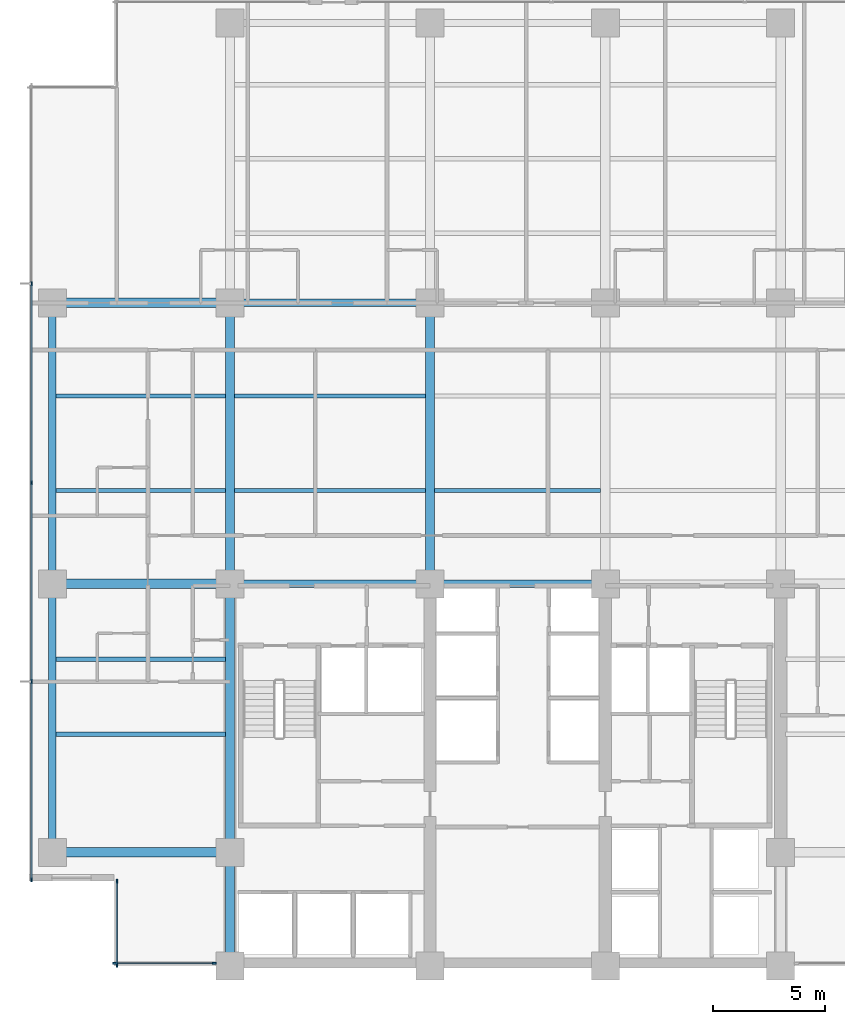
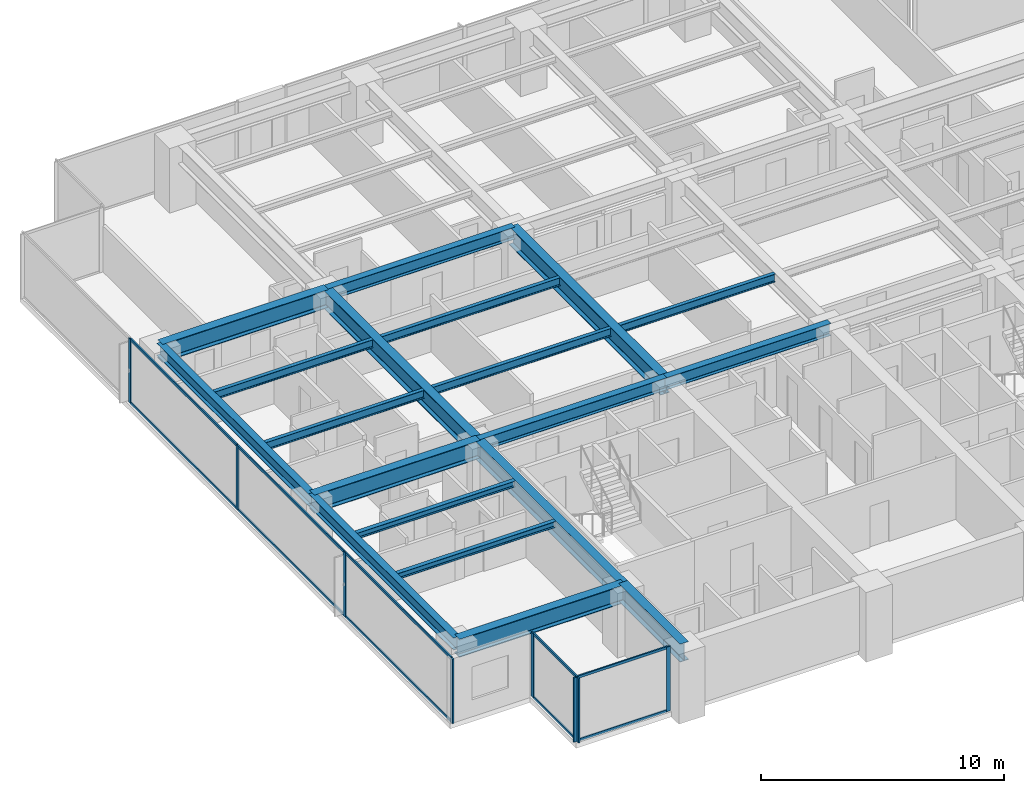
# One storey, part 2 of 17: 19 beams, 18 members, 3 elements without a shape of their own.
"""IFC4 building model written with IfcOpenShell, lengths in metres."""

from ifc_helpers import new_model, si_unit, direction, frame, origin, origin_2d, place, context, subcontext, project, spatial, rectangle, i_section, extrude, material, layer, layer_set, material_profile, profile_set, type_object, element, aggregate, save


model = new_model("IFC4")

# Units and contexts
model_context = context("Model", 3, precision=1e-05, world=origin(), true_north=direction((0.0, 1.0)))
body_context = subcontext(model_context, "Body", "Model", "MODEL_VIEW")
ifc_project = project(units=[si_unit("LENGTHUNIT", "METRE"), si_unit("AREAUNIT", "SQUARE_METRE"), si_unit("VOLUMEUNIT", "CUBIC_METRE"), si_unit("PLANEANGLEUNIT", "RADIAN"), si_unit("MASSUNIT", "GRAM", prefix="KILO")], contexts=[model_context])

# Site, building, storey
site_placement = place(None, origin())
site = spatial("IfcSite", under=ifc_project, at=site_placement, CompositionType="ELEMENT")
building_placement = place(site_placement, origin())
building = spatial("IfcBuilding", under=site, at=building_placement, Name="Qalmaran Belvedere Hotel", CompositionType="ELEMENT")
storey_placement = place(building_placement, frame((0.0, 0.0, 105.699951171875)))
storey = spatial("IfcBuildingStorey", under=building, at=storey_placement, Name="L26", CompositionType="ELEMENT", Elevation=105.699951171875)

# Beams
ifc_material_1 = material(Name="Steel S355JR", Category="steel")
ifc_material_profile_1 = material_profile(ifc_material_1, i_section(OverallWidth=0.202880859375, OverallDepth=0.302978515625, WebThickness=0.007568359375, FlangeThickness=0.01318359375, FilletRadius=0.012939453125, at=origin_2d()), Name="W310X60")
ifc_profile_set_1 = profile_set([ifc_material_profile_1], Name="Steel S355JR")
beam_type_1 = type_object("IfcBeamType", Name="BM-JST-W310X60", PredefinedType="JOIST", material=ifc_profile_set_1)
for number, where, z_axis, x_axis, name in (
    (1, (12.5615234375, 13.800048828125, 3.088623046875), (1.0, 0.0, 0.0), (0.0, 1.0, 0.0), "L26 West Wing Joist 038"),
    (2, (12.5615234375, 17.14990234375, 3.088623046875), (1.0, 0.0, 0.0), (0.0, 1.0, 0.0), "L26 West Wing Joist 040"),
):
    element("IfcBeam", number, at=place(storey_placement, frame(where, z_axis=z_axis, x_axis=x_axis)), inside=storey, type_object=beam_type_1, Name=name, PredefinedType="JOIST", context=body_context, shape_type="SweptSolid", body=[
        extrude(i_section(OverallWidth=0.202880859375, OverallDepth=0.302978515625, WebThickness=0.007568359375, FlangeThickness=0.01318359375, FilletRadius=0.012939453125, at=origin_2d()), origin(), (0.0, 0.0, 1.0), 7.531494140625),
    ])
ifc_material_profile_2 = material_profile(ifc_material_1, i_section(OverallWidth=0.41796875, OverallDepth=0.912109375, WebThickness=0.019287109375, FlangeThickness=0.031982421875, FilletRadius=0.02392578125, at=origin_2d()), Name="W920X342")
ifc_profile_set_2 = profile_set([ifc_material_profile_2], Name="Steel S355JR")
beam_type_2 = type_object("IfcBeamType", Name="BM-PG2-W920X342", PredefinedType="USERDEFINED", material=ifc_profile_set_2)
for number, where, z_axis, x_axis, name in (
    (3, (20.300048828125, 20.5, 2.783935546875), (0.0, 1.0, 0.0), (-1.0, 0.0, 0.0), "L26 Mid-Plate N-S Girder 14"),
    (4, (29.199951171875, 20.5, 2.783935546875), (0.0, 1.0, 0.0), (-1.0, 0.0, 0.0), "L26 Mid-Plate N-S Girder 16"),
):
    element("IfcBeam", number, at=place(storey_placement, frame(where, z_axis=z_axis, x_axis=x_axis)), inside=storey, type_object=beam_type_2, Name=name, ObjectType="GIRDER", PredefinedType="USERDEFINED", context=body_context, shape_type="SweptSolid", body=[
        extrude(i_section(OverallWidth=0.41796875, OverallDepth=0.912109375, WebThickness=0.019287109375, FlangeThickness=0.031982421875, FilletRadius=0.02392578125, at=origin_2d()), origin(), (0.0, 0.0, 1.0), 12.5),
    ])
for number, where, z_axis, x_axis, name in (
    (5, (12.39990234375, 8.550048828125, 2.783935546875), (1.0, 0.0, 0.0), (0.0, 1.0, 0.0), "L26 West Wing Girder 22"),
    (6, (12.39990234375, 20.5, 2.783935546875), (1.0, 0.0, 0.0), (0.0, 1.0, 0.0), "L26 West Wing Girder 23"),
    (7, (12.39990234375, 33.0, 2.783935546875), (1.0, 0.0, 0.0), (0.0, 1.0, 0.0), "L26 West Wing Girder 24"),
):
    element("IfcBeam", number, at=place(storey_placement, frame(where, z_axis=z_axis, x_axis=x_axis)), inside=storey, type_object=beam_type_2, Name=name, ObjectType="GIRDER", PredefinedType="USERDEFINED", context=body_context, shape_type="SweptSolid", body=[
        extrude(i_section(OverallWidth=0.41796875, OverallDepth=0.912109375, WebThickness=0.019287109375, FlangeThickness=0.031982421875, FilletRadius=0.02392578125, at=origin_2d()), origin(), (0.0, 0.0, 1.0), 7.900146484375),
    ])
beam_1_placement = place(storey_placement, frame((20.300048828125, 3.5, 2.783935546875), z_axis=(0.0, 1.0, 0.0), x_axis=(-1.0, 0.0, 0.0)))
element("IfcBeam", 8, at=beam_1_placement, inside=storey, type_object=beam_type_2, Name="L26 West Core Edge Girder A", ObjectType="GIRDER", PredefinedType="USERDEFINED", context=body_context, shape_type="SweptSolid", body=[
    extrude(i_section(OverallWidth=0.41796875, OverallDepth=0.912109375, WebThickness=0.019287109375, FlangeThickness=0.031982421875, FilletRadius=0.02392578125, at=origin_2d()), origin(), (0.0, 0.0, 1.0), 5.050048828125),
])
beam_2_placement = place(storey_placement, frame((20.300048828125, 8.550048828125, 2.783935546875), z_axis=(0.0, 1.0, 0.0), x_axis=(-1.0, 0.0, 0.0)))
element("IfcBeam", 9, at=beam_2_placement, inside=storey, type_object=beam_type_2, Name="L26 West Core Edge Girder B", ObjectType="GIRDER", PredefinedType="USERDEFINED", context=body_context, shape_type="SweptSolid", body=[
    extrude(i_section(OverallWidth=0.41796875, OverallDepth=0.912109375, WebThickness=0.019287109375, FlangeThickness=0.031982421875, FilletRadius=0.02392578125, at=origin_2d()), origin(), (0.0, 0.0, 1.0), 11.949951171875),
])
ifc_material_profile_3 = material_profile(ifc_material_1, i_section(OverallWidth=0.177978515625, OverallDepth=0.406982421875, WebThickness=0.0078125, FlangeThickness=0.0126953125, FilletRadius=0.014892578125, at=origin_2d()), Name="W410X60")
ifc_profile_set_3 = profile_set([ifc_material_profile_3], Name="Steel S355JR")
beam_type_3 = type_object("IfcBeamType", Name="BM-SB2-W410X60", PredefinedType="BEAM", material=ifc_profile_set_3)
beam_3_placement = place(storey_placement, frame((12.5615234375, 24.64990234375, 3.03662109375), z_axis=(1.0, 0.0, 0.0), x_axis=(0.0, 1.0, 0.0)))
element("IfcBeam", 10, at=beam_3_placement, inside=storey, type_object=beam_type_3, Name="L26 West Secondary Beam 028", PredefinedType="BEAM", context=body_context, shape_type="SweptSolid", body=[
    extrude(i_section(OverallWidth=0.177978515625, OverallDepth=0.406982421875, WebThickness=0.0078125, FlangeThickness=0.0126953125, FilletRadius=0.014892578125, at=origin_2d()), origin(), (0.0, 0.0, 1.0), 7.531494140625),
])
beam_4_placement = place(storey_placement, frame((20.507080078125, 24.64990234375, 3.03662109375), z_axis=(1.0, 0.0, 0.0), x_axis=(0.0, 1.0, 0.0)))
element("IfcBeam", 11, at=beam_4_placement, inside=storey, type_object=beam_type_3, Name="L26 Secondary Floor Beam 029", PredefinedType="BEAM", context=body_context, shape_type="SweptSolid", body=[
    extrude(i_section(OverallWidth=0.177978515625, OverallDepth=0.406982421875, WebThickness=0.0078125, FlangeThickness=0.0126953125, FilletRadius=0.014892578125, at=origin_2d()), origin(), (0.0, 0.0, 1.0), 8.48583984375),
])
beam_5_placement = place(storey_placement, frame((29.406982421875, 24.64990234375, 3.03662109375), z_axis=(1.0, 0.0, 0.0), x_axis=(0.0, 1.0, 0.0)))
element("IfcBeam", 12, at=beam_5_placement, inside=storey, type_object=beam_type_3, Name="L26 Secondary Floor Beam 030", PredefinedType="BEAM", context=body_context, shape_type="SweptSolid", body=[
    extrude(i_section(OverallWidth=0.177978515625, OverallDepth=0.406982421875, WebThickness=0.0078125, FlangeThickness=0.0126953125, FilletRadius=0.014892578125, at=origin_2d()), origin(), (0.0, 0.0, 1.0), 7.385986328125),
])
beam_6_placement = place(storey_placement, frame((12.5615234375, 28.85009765625, 3.03662109375), z_axis=(1.0, 0.0, 0.0), x_axis=(0.0, 1.0, 0.0)))
element("IfcBeam", 13, at=beam_6_placement, inside=storey, type_object=beam_type_3, Name="L26 West Secondary Beam 033", PredefinedType="BEAM", context=body_context, shape_type="SweptSolid", body=[
    extrude(i_section(OverallWidth=0.177978515625, OverallDepth=0.406982421875, WebThickness=0.0078125, FlangeThickness=0.0126953125, FilletRadius=0.014892578125, at=origin_2d()), origin(), (0.0, 0.0, 1.0), 7.531494140625),
])
beam_7_placement = place(storey_placement, frame((20.507080078125, 28.85009765625, 3.03662109375), z_axis=(1.0, 0.0, 0.0), x_axis=(0.0, 1.0, 0.0)))
element("IfcBeam", 14, at=beam_7_placement, inside=storey, type_object=beam_type_3, Name="L26 Secondary Floor Beam 034", PredefinedType="BEAM", context=body_context, shape_type="SweptSolid", body=[
    extrude(i_section(OverallWidth=0.177978515625, OverallDepth=0.406982421875, WebThickness=0.0078125, FlangeThickness=0.0126953125, FilletRadius=0.014892578125, at=origin_2d()), origin(), (0.0, 0.0, 1.0), 8.48583984375),
])
ifc_material_profile_4 = material_profile(ifc_material_1, i_section(OverallWidth=0.326904296875, OverallDepth=0.6220703125, WebThickness=0.015380859375, FlangeThickness=0.0244140625, FilletRadius=0.02001953125, at=origin_2d()), Name="W610X195")
ifc_profile_set_4 = profile_set([ifc_material_profile_4], Name="Steel S355JR")
beam_type_4 = type_object("IfcBeamType", Name="BM-SP1-W610X195", PredefinedType="SPANDREL", material=ifc_profile_set_4)
beam_8_placement = place(storey_placement, frame((12.39990234375, 8.550048828125, 2.928955078125), z_axis=(0.0, 1.0, 0.0), x_axis=(-1.0, 0.0, 0.0)))
element("IfcBeam", 15, at=beam_8_placement, inside=storey, type_object=beam_type_4, Name="L26 Perimeter Spandrel 01", PredefinedType="SPANDREL", context=body_context, shape_type="SweptSolid", body=[
    extrude(i_section(OverallWidth=0.326904296875, OverallDepth=0.6220703125, WebThickness=0.015380859375, FlangeThickness=0.0244140625, FilletRadius=0.02001953125, at=origin_2d()), origin(), (0.0, 0.0, 1.0), 11.949951171875),
])
beam_9_placement = place(storey_placement, frame((12.39990234375, 20.5, 2.928955078125), z_axis=(0.0, 1.0, 0.0), x_axis=(-1.0, 0.0, 0.0)))
element("IfcBeam", 16, at=beam_9_placement, inside=storey, type_object=beam_type_4, Name="L26 Perimeter Spandrel 02", PredefinedType="SPANDREL", context=body_context, shape_type="SweptSolid", body=[
    extrude(i_section(OverallWidth=0.326904296875, OverallDepth=0.6220703125, WebThickness=0.015380859375, FlangeThickness=0.0244140625, FilletRadius=0.02001953125, at=origin_2d()), origin(), (0.0, 0.0, 1.0), 12.5),
])
ifc_material_profile_5 = material_profile(ifc_material_1, i_section(OverallWidth=0.323974609375, OverallDepth=0.611083984375, WebThickness=0.0126953125, FlangeThickness=0.01904296875, FilletRadius=0.02001953125, at=origin_2d()), Name="W610X155")
ifc_profile_set_5 = profile_set([ifc_material_profile_5], Name="Steel S355JR")
beam_type_5 = type_object("IfcBeamType", Name="BM-Z2-W610X155", PredefinedType="USERDEFINED", material=ifc_profile_set_5)
beam_10_placement = place(storey_placement, frame((20.300048828125, 20.5, 2.9345703125), z_axis=(1.0, 0.0, 0.0), x_axis=(0.0, 1.0, 0.0)))
element("IfcBeam", 17, at=beam_10_placement, inside=storey, type_object=beam_type_5, Name="L26 Interior E-W Girder 08", ObjectType="GIRDER", PredefinedType="USERDEFINED", context=body_context, shape_type="SweptSolid", body=[
    extrude(i_section(OverallWidth=0.323974609375, OverallDepth=0.611083984375, WebThickness=0.0126953125, FlangeThickness=0.01904296875, FilletRadius=0.02001953125, at=origin_2d()), origin(), (0.0, 0.0, 1.0), 8.89990234375),
])
beam_11_placement = place(storey_placement, frame((29.199951171875, 20.5, 2.9345703125), z_axis=(1.0, 0.0, 0.0), x_axis=(0.0, 1.0, 0.0)))
element("IfcBeam", 18, at=beam_11_placement, inside=storey, type_object=beam_type_5, Name="L26 Interior E-W Girder 09", ObjectType="GIRDER", PredefinedType="USERDEFINED", context=body_context, shape_type="SweptSolid", body=[
    extrude(i_section(OverallWidth=0.323974609375, OverallDepth=0.611083984375, WebThickness=0.0126953125, FlangeThickness=0.01904296875, FilletRadius=0.02001953125, at=origin_2d()), origin(), (0.0, 0.0, 1.0), 7.800048828125),
])
beam_12_placement = place(storey_placement, frame((20.300048828125, 33.0, 2.9345703125), z_axis=(1.0, 0.0, 0.0), x_axis=(0.0, 1.0, 0.0)))
element("IfcBeam", 19, at=beam_12_placement, inside=storey, type_object=beam_type_5, Name="L26 Interior E-W Girder 11", ObjectType="GIRDER", PredefinedType="USERDEFINED", context=body_context, shape_type="SweptSolid", body=[
    extrude(i_section(OverallWidth=0.323974609375, OverallDepth=0.611083984375, WebThickness=0.0126953125, FlangeThickness=0.01904296875, FilletRadius=0.02001953125, at=origin_2d()), origin(), (0.0, 0.0, 1.0), 8.89990234375),
])

# Curtain wall, members
ifc_material_2 = material(Name="Anodised Bronze Aluminium", Category="aluminium")
ifc_layer = layer(ifc_material_2, 0.199951171875, Name="Anodised Bronze Aluminium")
ifc_layer_set = layer_set([ifc_layer], Name="Anodised Bronze Aluminium")
curtain_wall_type = type_object("IfcCurtainWallType", Name="CW3-TOWER-LOWMID", PredefinedType="NOTDEFINED", material=ifc_layer_set)
curtain_wall_1_placement = place(storey_placement, origin())
curtain_wall_1 = element("IfcCurtainWall", 20, at=curtain_wall_1_placement, inside=storey, type_object=curtain_wall_type, Name="L26 Curtain Wall CW3", PredefinedType="NOTDEFINED")
ifc_material_profile_6 = material_profile(ifc_material_2, rectangle(XDim=0.070068359375, YDim=0.18994140625, at=origin_2d()), Name="CWM70X190")
ifc_profile_set_6 = profile_set([ifc_material_profile_6], Name="Anodised Bronze Aluminium")
member_type_1 = type_object("IfcMemberType", Name="CWM-70X190", PredefinedType="MULLION", material=ifc_profile_set_6)
member_1_placement = place(storey_placement, frame((15.18505859375, 3.6201171875, 0.0), z_axis=(0.0, 0.0, 1.0), x_axis=(0.0, 1.0, 0.0)))
member_1 = element("IfcMember", 21, at=member_1_placement, type_object=member_type_1, Name="CW3 mullion 1", PredefinedType="MULLION", context=body_context, shape_type="SweptSolid", body=[
    extrude(rectangle(XDim=0.070068359375, YDim=0.18994140625, at=origin_2d()), origin(), (0.0, 0.0, 1.0), 3.239990234375),
])
member_2_placement = place(storey_placement, frame((19.60009765625, 3.6201171875, 0.0), z_axis=(0.0, 0.0, 1.0), x_axis=(0.0, 1.0, 0.0)))
member_2 = element("IfcMember", 22, at=member_2_placement, type_object=member_type_1, Name="CW3 mullion 2", PredefinedType="MULLION", context=body_context, shape_type="SweptSolid", body=[
    extrude(rectangle(XDim=0.070068359375, YDim=0.18994140625, at=origin_2d()), origin(), (0.0, 0.0, 1.0), 3.239990234375),
])

curtain_wall_2_placement = place(storey_placement, origin())
curtain_wall_2 = element("IfcCurtainWall", 23, at=curtain_wall_2_placement, inside=storey, type_object=curtain_wall_type, Name="L26 Curtain Wall CW3", PredefinedType="NOTDEFINED")
member_3_placement = place(storey_placement, frame((11.469970703125, 33.85009765625, 0.0), z_axis=(0.0, 0.0, 1.0), x_axis=(1.0, 0.0, 0.0)))
member_3 = element("IfcMember", 24, at=member_3_placement, type_object=member_type_1, Name="CW3 mullion 2", PredefinedType="MULLION", context=body_context, shape_type="SweptSolid", body=[
    extrude(rectangle(XDim=0.070068359375, YDim=0.18994140625, at=origin_2d()), origin(), (0.0, 0.0, 1.0), 3.239990234375),
])
member_4_placement = place(storey_placement, frame((11.469970703125, 25.0, 0.0), z_axis=(0.0, 0.0, 1.0), x_axis=(1.0, 0.0, 0.0)))
member_4 = element("IfcMember", 25, at=member_4_placement, type_object=member_type_1, Name="CW3 mullion 3", PredefinedType="MULLION", context=body_context, shape_type="SweptSolid", body=[
    extrude(rectangle(XDim=0.070068359375, YDim=0.18994140625, at=origin_2d()), origin(), (0.0, 0.0, 1.0), 3.239990234375),
])
member_5_placement = place(storey_placement, frame((11.469970703125, 16.14990234375, 0.0), z_axis=(0.0, 0.0, 1.0), x_axis=(1.0, 0.0, 0.0)))
member_5 = element("IfcMember", 26, at=member_5_placement, type_object=member_type_1, Name="CW3 mullion 4", PredefinedType="MULLION", context=body_context, shape_type="SweptSolid", body=[
    extrude(rectangle(XDim=0.070068359375, YDim=0.18994140625, at=origin_2d()), origin(), (0.0, 0.0, 1.0), 3.239990234375),
])
member_6_placement = place(storey_placement, frame((11.469970703125, 7.3349609375, 0.0), z_axis=(0.0, 0.0, 1.0), x_axis=(1.0, 0.0, 0.0)))
member_6 = element("IfcMember", 27, at=member_6_placement, type_object=member_type_1, Name="CW3 mullion 5", PredefinedType="MULLION", context=body_context, shape_type="SweptSolid", body=[
    extrude(rectangle(XDim=0.070068359375, YDim=0.18994140625, at=origin_2d()), origin(), (0.0, 0.0, 1.0), 3.239990234375),
])

curtain_wall_3_placement = place(storey_placement, origin())
curtain_wall_3 = element("IfcCurtainWall", 28, at=curtain_wall_3_placement, inside=storey, type_object=curtain_wall_type, Name="L26 Curtain Wall CW3", PredefinedType="NOTDEFINED")
member_7_placement = place(storey_placement, frame((15.27001953125, 7.264892578125, 0.0), z_axis=(0.0, 0.0, 1.0), x_axis=(1.0, 0.0, 0.0)))
member_7 = element("IfcMember", 29, at=member_7_placement, type_object=member_type_1, Name="CW3 mullion 1", PredefinedType="MULLION", context=body_context, shape_type="SweptSolid", body=[
    extrude(rectangle(XDim=0.070068359375, YDim=0.18994140625, at=origin_2d()), origin(), (0.0, 0.0, 1.0), 3.239990234375),
])
member_8_placement = place(storey_placement, frame((15.27001953125, 3.534912109375, 0.0), z_axis=(0.0, 0.0, 1.0), x_axis=(1.0, 0.0, 0.0)))
member_8 = element("IfcMember", 30, at=member_8_placement, type_object=member_type_1, Name="CW3 mullion 2", PredefinedType="MULLION", context=body_context, shape_type="SweptSolid", body=[
    extrude(rectangle(XDim=0.070068359375, YDim=0.18994140625, at=origin_2d()), origin(), (0.0, 0.0, 1.0), 3.239990234375),
])

# Member
ifc_material_profile_7 = material_profile(ifc_material_2, rectangle(XDim=0.06494140625, YDim=0.1298828125, at=origin_2d()), Name="CWT65X130")
ifc_profile_set_7 = profile_set([ifc_material_profile_7], Name="Anodised Bronze Aluminium")
member_type_2 = type_object("IfcMemberType", Name="CWT-65X130", PredefinedType="USERDEFINED", material=ifc_profile_set_7)
member_9_placement = place(storey_placement, frame((15.219970703125, 3.6201171875, 0.032470703125), z_axis=(1.0, 0.0, 0.0), x_axis=(0.0, 1.0, 0.0)))
member_9 = element("IfcMember", 31, at=member_9_placement, type_object=member_type_2, Name="CW3 transom 1.1", ObjectType="TRANSOM", PredefinedType="USERDEFINED", context=body_context, shape_type="SweptSolid", body=[
    extrude(rectangle(XDim=0.06494140625, YDim=0.1298828125, at=origin_2d()), origin(), (0.0, 0.0, 1.0), 4.344970703125),
])

member_10_placement = place(storey_placement, frame((15.219970703125, 3.6201171875, 3.20751953125), z_axis=(1.0, 0.0, 0.0), x_axis=(0.0, 1.0, 0.0)))
member_10 = element("IfcMember", 32, at=member_10_placement, type_object=member_type_2, Name="CW3 transom 1.2", ObjectType="TRANSOM", PredefinedType="USERDEFINED", context=body_context, shape_type="SweptSolid", body=[
    extrude(rectangle(XDim=0.06494140625, YDim=0.1298828125, at=origin_2d()), origin(), (0.0, 0.0, 1.0), 4.344970703125),
])

aggregate(curtain_wall_1, [member_1, member_2, member_9, member_10])

member_11_placement = place(storey_placement, frame((11.469970703125, 33.81494140625, 0.032470703125), z_axis=(0.0, -1.0, 0.0), x_axis=(1.0, 0.0, 0.0)))
member_11 = element("IfcMember", 33, at=member_11_placement, type_object=member_type_2, Name="CW3 transom 2.1", ObjectType="TRANSOM", PredefinedType="USERDEFINED", context=body_context, shape_type="SweptSolid", body=[
    extrude(rectangle(XDim=0.06494140625, YDim=0.1298828125, at=origin_2d()), origin(), (0.0, 0.0, 1.0), 8.780029296875),
])

member_12_placement = place(storey_placement, frame((11.469970703125, 33.81494140625, 3.20751953125), z_axis=(0.0, -1.0, 0.0), x_axis=(1.0, 0.0, 0.0)))
member_12 = element("IfcMember", 34, at=member_12_placement, type_object=member_type_2, Name="CW3 transom 2.2", ObjectType="TRANSOM", PredefinedType="USERDEFINED", context=body_context, shape_type="SweptSolid", body=[
    extrude(rectangle(XDim=0.06494140625, YDim=0.1298828125, at=origin_2d()), origin(), (0.0, 0.0, 1.0), 8.780029296875),
])

member_13_placement = place(storey_placement, frame((11.469970703125, 24.965087890625, 0.032470703125), z_axis=(0.0, -1.0, 0.0), x_axis=(1.0, 0.0, 0.0)))
member_13 = element("IfcMember", 35, at=member_13_placement, type_object=member_type_2, Name="CW3 transom 3.1", ObjectType="TRANSOM", PredefinedType="USERDEFINED", context=body_context, shape_type="SweptSolid", body=[
    extrude(rectangle(XDim=0.06494140625, YDim=0.1298828125, at=origin_2d()), origin(), (0.0, 0.0, 1.0), 8.780029296875),
])

member_14_placement = place(storey_placement, frame((11.469970703125, 24.965087890625, 3.20751953125), z_axis=(0.0, -1.0, 0.0), x_axis=(1.0, 0.0, 0.0)))
member_14 = element("IfcMember", 36, at=member_14_placement, type_object=member_type_2, Name="CW3 transom 3.2", ObjectType="TRANSOM", PredefinedType="USERDEFINED", context=body_context, shape_type="SweptSolid", body=[
    extrude(rectangle(XDim=0.06494140625, YDim=0.1298828125, at=origin_2d()), origin(), (0.0, 0.0, 1.0), 8.780029296875),
])

member_15_placement = place(storey_placement, frame((11.469970703125, 16.114990234375, 0.032470703125), z_axis=(0.0, -1.0, 0.0), x_axis=(1.0, 0.0, 0.0)))
member_15 = element("IfcMember", 37, at=member_15_placement, type_object=member_type_2, Name="CW3 transom 4.1", ObjectType="TRANSOM", PredefinedType="USERDEFINED", context=body_context, shape_type="SweptSolid", body=[
    extrude(rectangle(XDim=0.06494140625, YDim=0.1298828125, at=origin_2d()), origin(), (0.0, 0.0, 1.0), 8.744873046875),
])

member_16_placement = place(storey_placement, frame((11.469970703125, 16.114990234375, 3.20751953125), z_axis=(0.0, -1.0, 0.0), x_axis=(1.0, 0.0, 0.0)))
member_16 = element("IfcMember", 38, at=member_16_placement, type_object=member_type_2, Name="CW3 transom 4.2", ObjectType="TRANSOM", PredefinedType="USERDEFINED", context=body_context, shape_type="SweptSolid", body=[
    extrude(rectangle(XDim=0.06494140625, YDim=0.1298828125, at=origin_2d()), origin(), (0.0, 0.0, 1.0), 8.744873046875),
])

aggregate(curtain_wall_2, [member_3, member_4, member_5, member_6, member_11, member_12, member_13, member_14, member_15, member_16])

member_17_placement = place(storey_placement, frame((15.27001953125, 7.22998046875, 0.032470703125), z_axis=(0.0, -1.0, 0.0), x_axis=(1.0, 0.0, 0.0)))
member_17 = element("IfcMember", 39, at=member_17_placement, type_object=member_type_2, Name="CW3 transom 1.1", ObjectType="TRANSOM", PredefinedType="USERDEFINED", context=body_context, shape_type="SweptSolid", body=[
    extrude(rectangle(XDim=0.06494140625, YDim=0.1298828125, at=origin_2d()), origin(), (0.0, 0.0, 1.0), 3.659912109375),
])

member_18_placement = place(storey_placement, frame((15.27001953125, 7.22998046875, 3.20751953125), z_axis=(0.0, -1.0, 0.0), x_axis=(1.0, 0.0, 0.0)))
member_18 = element("IfcMember", 40, at=member_18_placement, type_object=member_type_2, Name="CW3 transom 1.2", ObjectType="TRANSOM", PredefinedType="USERDEFINED", context=body_context, shape_type="SweptSolid", body=[
    extrude(rectangle(XDim=0.06494140625, YDim=0.1298828125, at=origin_2d()), origin(), (0.0, 0.0, 1.0), 3.659912109375),
])

aggregate(curtain_wall_3, [member_7, member_8, member_17, member_18])

save(model, "model.ifc")
